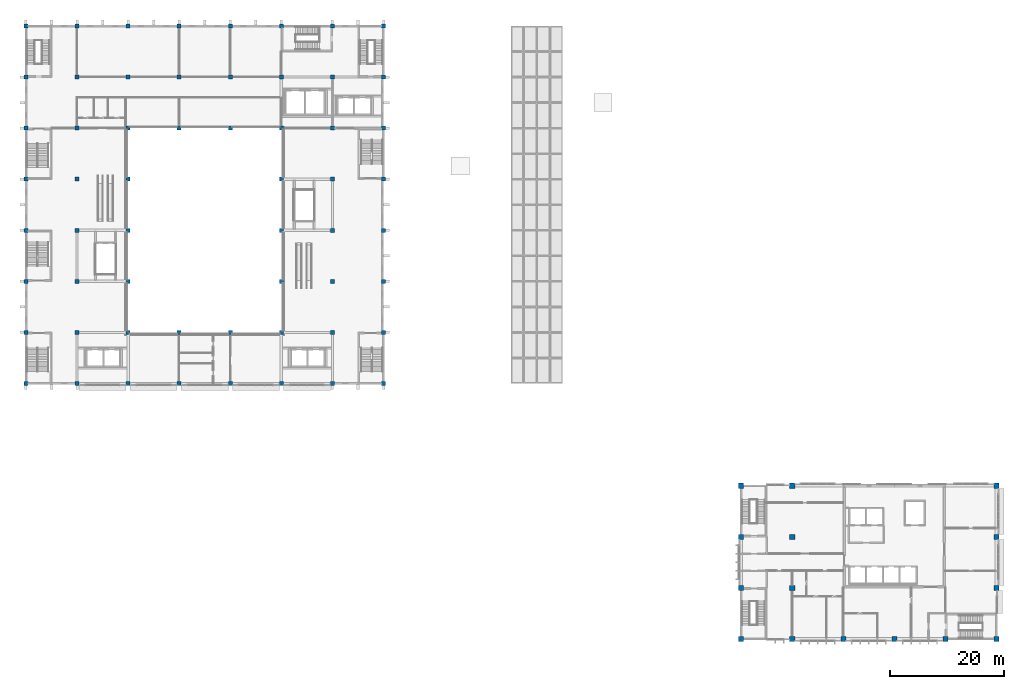
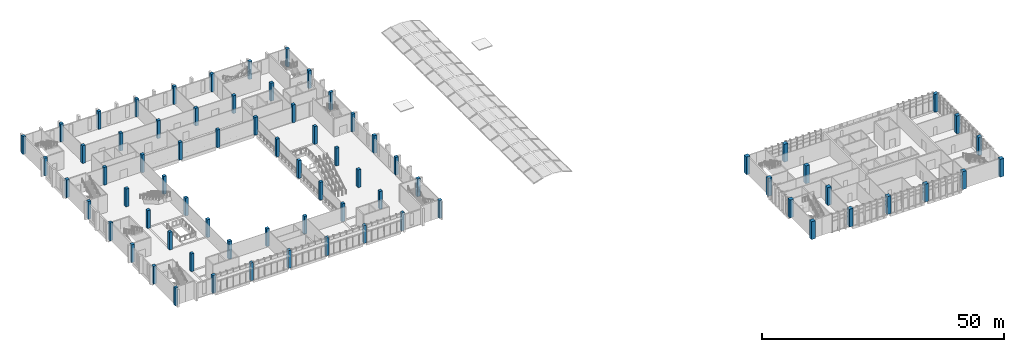
# One storey, part 1 of 45: 73 columns.
"""IFC4 building model written with IfcOpenShell, lengths in metres."""

import ifcopenshell
import ifcopenshell.guid

model = None  # the IFC model being written
_history = None  # IfcOwnerHistory: only IFC2X3 demands one
_inside = {}  # id of a spatial element -> (the spatial element, [elements in it])
_under = {}  # id of a project, library or spatial element -> (it, [spatial elements below it])
_declared = {}  # id of a project -> (the project, [libraries it declares])
_typed = {}  # id of a type object -> (the type object, [elements of that type])
_made_of = {}  # id of a material, layer set ... -> (it, [elements and type objects made of it])


def new_model(schema):
    """Start an empty IFC model of exactly this schema.

    Asked for "IFC4X3", IfcOpenShell would pick the latest addendum, in which some entities
    have other attributes; the version numbers below select the first issue.
    IFC2X3 requires an IfcOwnerHistory on every rooted entity: one is made here for all.
    """
    global model, _history
    if schema == "IFC4X3":
        model = ifcopenshell.file(schema_version=(4, 3, 0, 0))
    else:
        model = ifcopenshell.file(schema=schema)
    _inside.clear()
    _under.clear()
    _declared.clear()
    _typed.clear()
    _made_of.clear()
    _history = None
    if model.schema == "IFC2X3":
        org = make("IfcOrganization", Name="unknown")
        user = make(
            "IfcPersonAndOrganization",
            ThePerson=make("IfcPerson", FamilyName="unknown"),
            TheOrganization=org,
        )
        app = make(
            "IfcApplication",
            ApplicationDeveloper=org,
            Version="unknown",
            ApplicationFullName="unknown",
            ApplicationIdentifier="unknown",
        )
        _history = make(
            "IfcOwnerHistory",
            OwningUser=user,
            OwningApplication=app,
            ChangeAction="ADDED",
            CreationDate=0,
        )
    return model


def make(cls, **values):
    """One entity of the class cls with the attributes given. An attribute that is None is left unset."""
    return model.create_entity(
        cls, **{name: value for name, value in values.items() if value is not None}
    )


def rooted(cls, **values):
    """An entity with a GlobalId (a new one), such as an element, a storey or a relation."""
    return make(cls, GlobalId=ifcopenshell.guid.new(), OwnerHistory=_history, **values)


def si_unit(unit_type, name, prefix=None):
    """IfcSIUnit, for example si_unit("LENGTHUNIT", "METRE", prefix="MILLI")."""
    return make("IfcSIUnit", UnitType=unit_type, Prefix=prefix, Name=name)


def assignment(units):
    """IfcUnitAssignment: the units of a project."""
    return None if units is None else make("IfcUnitAssignment", Units=units)


def point(xyz):
    """IfcCartesianPoint."""
    return None if xyz is None else make("IfcCartesianPoint", Coordinates=xyz)


def direction(xyz):
    """IfcDirection."""
    return None if xyz is None else make("IfcDirection", DirectionRatios=xyz)


def frame(location, z_axis=None, x_axis=None):
    """IfcAxis2Placement3D, a coordinate frame: its origin and axes. An axis left out is left unset."""
    return make(
        "IfcAxis2Placement3D",
        Location=point(location),
        Axis=direction(z_axis),
        RefDirection=direction(x_axis),
    )


def frame_2d(location, x_axis=None):
    """IfcAxis2Placement2D, a coordinate frame in the plane: its origin and x axis."""
    return make(
        "IfcAxis2Placement2D", Location=point(location), RefDirection=direction(x_axis)
    )


def origin():
    """The frame at (0, 0, 0) with its axes left unset."""
    return frame((0.0, 0.0, 0.0))


def origin_2d():
    """The frame at (0, 0) in the plane with its x axis left unset."""
    return frame_2d((0.0, 0.0))


def place(relative_to, where):
    """IfcLocalPlacement: puts the frame where relative to a parent placement (None: the world)."""
    return make(
        "IfcLocalPlacement", PlacementRelTo=relative_to, RelativePlacement=where
    )


def context(
    kind, dimensions, precision=None, world=None, true_north=None, identifier=None
):
    """IfcGeometricRepresentationContext, for example the 3D "Model" context."""
    return make(
        "IfcGeometricRepresentationContext",
        ContextIdentifier=identifier,
        ContextType=kind,
        CoordinateSpaceDimension=dimensions,
        Precision=precision,
        WorldCoordinateSystem=world,
        TrueNorth=true_north,
    )


def subcontext(parent, identifier, kind, view, scale=None):
    """IfcGeometricRepresentationSubContext, for example "Body" below "Model"."""
    return make(
        "IfcGeometricRepresentationSubContext",
        ContextIdentifier=identifier,
        ContextType=kind,
        ParentContext=parent,
        TargetScale=scale,
        TargetView=view,
    )


def project(units=None, contexts=None):
    """IfcProject with its units and contexts."""
    return rooted(
        "IfcProject",
        Name="project",
        RepresentationContexts=contexts,
        UnitsInContext=assignment(units),
    )


def spatial(cls, under=None, at=None, **own):
    """A site, building, storey or space (cls), placed at a placement, below another one or the project."""
    s = rooted(cls, ObjectPlacement=at, **own)
    if under is not None:
        _under.setdefault(under.id(), (under, []))[1].append(s)
    return s


def profile(cls, at=None, kind="AREA", **sizes):
    """A parametric profile (cls). Its sizes go by their IFC names, for example OverallWidth=200.0."""
    return make(cls, ProfileType=kind, Position=at, **sizes)


def rectangle(**sizes):
    """IfcRectangleProfileDef."""
    return profile("IfcRectangleProfileDef", **sizes)


def extrude(swept, where, along, depth):
    """IfcExtrudedAreaSolid: the profile swept, set in the frame where, extruded along a direction by depth."""
    return make(
        "IfcExtrudedAreaSolid",
        SweptArea=swept,
        Position=where,
        ExtrudedDirection=direction(along),
        Depth=depth,
    )


def shape(context_of_items, identifier, shape_type, items):
    """IfcShapeRepresentation: the items that make up one representation, for example the "Body"."""
    return make(
        "IfcShapeRepresentation",
        ContextOfItems=context_of_items,
        RepresentationIdentifier=identifier,
        RepresentationType=shape_type,
        Items=items,
    )


def material(Name=None, Category=None):
    """IfcMaterial."""
    return make("IfcMaterial", Name=Name, Category=Category)


def material_profile(
    of_material, cross_section, Name=None, Category=None, Priority=None
):
    """IfcMaterialProfile: a cross section and its material."""
    return make(
        "IfcMaterialProfile",
        Name=Name,
        Material=of_material,
        Profile=cross_section,
        Priority=Priority,
        Category=Category,
    )


def profile_set(profiles, Name=None, composite=None):
    """IfcMaterialProfileSet."""
    return make(
        "IfcMaterialProfileSet",
        Name=Name,
        MaterialProfiles=profiles,
        CompositeProfile=composite,
    )


def made_of(thing, what):
    """Note that an element or type object is made of a material, layer set ...; save() writes the relation."""
    if what is not None:
        _made_of.setdefault(what.id(), (what, []))[1].append(thing)
    return thing


def type_object(cls, material=None, **own):
    """A type object (cls), such as IfcWallType, which elements share."""
    return made_of(rooted(cls, **own), material)


def element(
    cls,
    number,
    at=None,
    inside=None,
    cuts=None,
    type_object=None,
    material=None,
    context=None,
    identifier="Body",
    shape_type=None,
    held_by="IfcProductDefinitionShape",
    body=None,
    shapes=None,
    **own,
):
    """One element of the class cls, such as IfcWall. Its Tag is "e" and its number.

    at: its placement. inside: the storey or other place that contains it. cuts: it is an
    opening in that element (IfcRelVoidsElement). A single representation is given by context,
    identifier, shape_type and body (its items); several are given by shapes. held_by: the class
    of the entity that holds the representations. save() writes the other relations.
    """
    e = rooted(cls, Tag="e%d" % number, ObjectPlacement=at, **own)
    if body is not None:
        shapes = [shape(context, identifier, shape_type, body)]
    if shapes is not None:
        e.Representation = make(held_by, Representations=shapes)
    if inside is not None:
        _inside.setdefault(inside.id(), (inside, []))[1].append(e)
    if cuts is not None:
        rooted(
            "IfcRelVoidsElement", RelatingBuildingElement=cuts, RelatedOpeningElement=e
        )
    if type_object is not None:
        _typed.setdefault(type_object.id(), (type_object, []))[1].append(e)
    return made_of(e, material)


def aggregate(whole, parts):
    """IfcRelAggregates: a whole, such as a stair, and the parts it consists of."""
    return rooted("IfcRelAggregates", RelatingObject=whole, RelatedObjects=parts)


def save(model, path):
    """Write the relations noted so far, then the file.

    IfcRelAggregates (storeys below a building ...), IfcRelContainedInSpatialStructure (elements
    in a storey), IfcRelDefinesByType, IfcRelAssociatesMaterial and IfcRelDeclares: one each for
    every whole, place, type object, material and project.
    """
    for whole, parts in _under.values():
        aggregate(whole, parts)
    for where, things in _inside.values():
        rooted(
            "IfcRelContainedInSpatialStructure",
            RelatedElements=things,
            RelatingStructure=where,
        )
    for kind, things in _typed.values():
        rooted("IfcRelDefinesByType", RelatedObjects=things, RelatingType=kind)
    for what, things in _made_of.values():
        rooted("IfcRelAssociatesMaterial", RelatedObjects=things, RelatingMaterial=what)
    for by, libraries in _declared.values():
        rooted("IfcRelDeclares", RelatingContext=by, RelatedDefinitions=libraries)
    model.write(path)


model = new_model("IFC4")

# Units and contexts
model_context = context("Model", 3, precision=1e-05, world=origin(), true_north=direction((0.0, 1.0)))
body_context = subcontext(model_context, "Body", "Model", "MODEL_VIEW")
ifc_project = project(units=[si_unit("LENGTHUNIT", "METRE"), si_unit("AREAUNIT", "SQUARE_METRE"), si_unit("VOLUMEUNIT", "CUBIC_METRE"), si_unit("PLANEANGLEUNIT", "RADIAN"), si_unit("MASSUNIT", "GRAM", prefix="KILO")], contexts=[model_context])

# Site, building, storey
site_placement = place(None, origin())
site = spatial("IfcSite", under=ifc_project, at=site_placement, CompositionType="ELEMENT")
building_placement = place(site_placement, origin())
building = spatial("IfcBuilding", under=site, at=building_placement, Name="Guidao Yard Department Store", CompositionType="ELEMENT")
storey_placement = place(building_placement, frame((0.0, 0.0, 19.5)))
storey = spatial("IfcBuildingStorey", under=building, at=storey_placement, Name="L04", CompositionType="ELEMENT", Elevation=19.5)

# Columns
ifc_material_1 = material(Name="Concrete C40", Category="concrete")
ifc_material_profile_1 = material_profile(ifc_material_1, rectangle(XDim=0.699951171875, YDim=0.699951171875, at=origin_2d()), Name="COL 700x700")
ifc_profile_set_1 = profile_set([ifc_material_profile_1], Name="Concrete C40")
column_type_1 = type_object("IfcColumnType", Name="Column 700x700 C40", PredefinedType="COLUMN", material=ifc_profile_set_1)
for number, where, z_axis, x_axis, name in (
    (1, (0.0, 45.0, 0.0), (0.0, 0.0, 1.0), (1.0, 0.0, 0.0), "Column 1/F L04"),
    (2, (9.0, 45.0, 0.0), (0.0, 0.0, 1.0), (1.0, 0.0, 0.0), "Column 2/F L04"),
    (3, (18.0, 45.0, 0.0), (0.0, 0.0, 1.0), (1.0, 0.0, 0.0), "Column 3/F L04"),
    (4, (27.0, 45.0, 0.0), (0.0, 0.0, 1.0), (1.0, 0.0, 0.0), "Column 4/F L04"),
    (5, (36.0, 45.0, 0.0), (0.0, 0.0, 1.0), (1.0, 0.0, 0.0), "Column 5/F L04"),
    (6, (45.0, 45.0, 0.0), (0.0, 0.0, 1.0), (1.0, 0.0, 0.0), "Column 6/F L04"),
    (7, (54.0, 45.0, 0.0), (0.0, 0.0, 1.0), (1.0, 0.0, 0.0), "Column 7/F L04"),
    (8, (63.0, 45.0, 0.0), (0.0, 0.0, 1.0), (1.0, 0.0, 0.0), "Column 8/F L04"),
    (9, (0.0, 54.0, 0.0), (0.0, 0.0, 1.0), (1.0, 0.0, 0.0), "Column 1/G L04"),
    (10, (9.0, 54.0, 0.0), (0.0, 0.0, 1.0), (1.0, 0.0, 0.0), "Column 2/G L04"),
    (11, (18.0, 54.0, 0.0), (0.0, 0.0, 1.0), (1.0, 0.0, 0.0), "Column 3/G L04"),
    (12, (27.0, 54.0, 0.0), (0.0, 0.0, 1.0), (1.0, 0.0, 0.0), "Column 4/G L04"),
    (13, (36.0, 54.0, 0.0), (0.0, 0.0, 1.0), (1.0, 0.0, 0.0), "Column 5/G L04"),
    (14, (45.0, 54.0, 0.0), (0.0, 0.0, 1.0), (1.0, 0.0, 0.0), "Column 6/G L04"),
    (15, (54.0, 54.0, 0.0), (0.0, 0.0, 1.0), (1.0, 0.0, 0.0), "Column 7/G L04"),
    (16, (63.0, 54.0, 0.0), (0.0, 0.0, 1.0), (1.0, 0.0, 0.0), "Column 8/G L04"),
    (17, (0.0, 63.0, 0.0), (0.0, 0.0, 1.0), (1.0, 0.0, 0.0), "Column 1/H L04"),
    (18, (9.0, 63.0, 0.0), (0.0, 0.0, 1.0), (1.0, 0.0, 0.0), "Column 2/H L04"),
    (19, (18.0, 63.0, 0.0), (0.0, 0.0, 1.0), (1.0, 0.0, 0.0), "Column 3/H L04"),
    (20, (45.0, 63.0, 0.0), (0.0, 0.0, 1.0), (1.0, 0.0, 0.0), "Column 6/H L04"),
    (21, (54.0, 63.0, 0.0), (0.0, 0.0, 1.0), (1.0, 0.0, 0.0), "Column 7/H L04"),
    (22, (63.0, 63.0, 0.0), (0.0, 0.0, 1.0), (1.0, 0.0, 0.0), "Column 8/H L04"),
    (23, (0.0, 72.0, 0.0), (0.0, 0.0, 1.0), (1.0, 0.0, 0.0), "Column 1/J L04"),
    (24, (9.0, 72.0, 0.0), (0.0, 0.0, 1.0), (1.0, 0.0, 0.0), "Column 2/J L04"),
    (25, (18.0, 72.0, 0.0), (0.0, 0.0, 1.0), (1.0, 0.0, 0.0), "Column 3/J L04"),
    (26, (45.0, 72.0, 0.0), (0.0, 0.0, 1.0), (1.0, 0.0, 0.0), "Column 6/J L04"),
    (27, (54.0, 72.0, 0.0), (0.0, 0.0, 1.0), (1.0, 0.0, 0.0), "Column 7/J L04"),
    (28, (63.0, 72.0, 0.0), (0.0, 0.0, 1.0), (1.0, 0.0, 0.0), "Column 8/J L04"),
    (29, (0.0, 81.0, 0.0), (0.0, 0.0, 1.0), (1.0, 0.0, 0.0), "Column 1/K L04"),
    (30, (9.0, 81.0, 0.0), (0.0, 0.0, 1.0), (1.0, 0.0, 0.0), "Column 2/K L04"),
    (31, (18.0, 81.0, 0.0), (0.0, 0.0, 1.0), (1.0, 0.0, 0.0), "Column 3/K L04"),
    (32, (45.0, 81.0, 0.0), (0.0, 0.0, 1.0), (1.0, 0.0, 0.0), "Column 6/K L04"),
    (33, (54.0, 81.0, 0.0), (0.0, 0.0, 1.0), (1.0, 0.0, 0.0), "Column 7/K L04"),
    (34, (63.0, 81.0, 0.0), (0.0, 0.0, 1.0), (1.0, 0.0, 0.0), "Column 8/K L04"),
    (35, (0.0, 90.0, 0.0), (0.0, 0.0, 1.0), (1.0, 0.0, 0.0), "Column 1/L L04"),
    (36, (9.0, 90.0, 0.0), (0.0, 0.0, 1.0), (1.0, 0.0, 0.0), "Column 2/L L04"),
    (37, (18.0, 90.0, 0.0), (0.0, 0.0, 1.0), (1.0, 0.0, 0.0), "Column 3/L L04"),
    (38, (27.0, 90.0, 0.0), (0.0, 0.0, 1.0), (1.0, 0.0, 0.0), "Column 4/L L04"),
    (39, (36.0, 90.0, 0.0), (0.0, 0.0, 1.0), (1.0, 0.0, 0.0), "Column 5/L L04"),
    (40, (45.0, 90.0, 0.0), (0.0, 0.0, 1.0), (1.0, 0.0, 0.0), "Column 6/L L04"),
    (41, (54.0, 90.0, 0.0), (0.0, 0.0, 1.0), (1.0, 0.0, 0.0), "Column 7/L L04"),
    (42, (63.0, 90.0, 0.0), (0.0, 0.0, 1.0), (1.0, 0.0, 0.0), "Column 8/L L04"),
    (43, (0.0, 99.0, 0.0), (0.0, 0.0, 1.0), (1.0, 0.0, 0.0), "Column 1/M L04"),
    (44, (9.0, 99.0, 0.0), (0.0, 0.0, 1.0), (1.0, 0.0, 0.0), "Column 2/M L04"),
    (45, (18.0, 99.0, 0.0), (0.0, 0.0, 1.0), (1.0, 0.0, 0.0), "Column 3/M L04"),
    (46, (27.0, 99.0, 0.0), (0.0, 0.0, 1.0), (1.0, 0.0, 0.0), "Column 4/M L04"),
    (47, (36.0, 99.0, 0.0), (0.0, 0.0, 1.0), (1.0, 0.0, 0.0), "Column 5/M L04"),
    (48, (45.0, 99.0, 0.0), (0.0, 0.0, 1.0), (1.0, 0.0, 0.0), "Column 6/M L04"),
    (49, (54.0, 99.0, 0.0), (0.0, 0.0, 1.0), (1.0, 0.0, 0.0), "Column 7/M L04"),
    (50, (63.0, 99.0, 0.0), (0.0, 0.0, 1.0), (1.0, 0.0, 0.0), "Column 8/M L04"),
    (51, (0.0, 108.0, 0.0), (0.0, 0.0, 1.0), (1.0, 0.0, 0.0), "Column 1/N L04"),
    (52, (9.0, 108.0, 0.0), (0.0, 0.0, 1.0), (1.0, 0.0, 0.0), "Column 2/N L04"),
    (53, (18.0, 108.0, 0.0), (0.0, 0.0, 1.0), (1.0, 0.0, 0.0), "Column 3/N L04"),
    (54, (27.0, 108.0, 0.0), (0.0, 0.0, 1.0), (1.0, 0.0, 0.0), "Column 4/N L04"),
    (55, (36.0, 108.0, 0.0), (0.0, 0.0, 1.0), (1.0, 0.0, 0.0), "Column 5/N L04"),
    (56, (45.0, 108.0, 0.0), (0.0, 0.0, 1.0), (1.0, 0.0, 0.0), "Column 6/N L04"),
    (57, (54.0, 108.0, 0.0), (0.0, 0.0, 1.0), (1.0, 0.0, 0.0), "Column 7/N L04"),
    (58, (63.0, 108.0, 0.0), (0.0, 0.0, 1.0), (1.0, 0.0, 0.0), "Column 8/N L04"),
):
    element("IfcColumn", number, at=place(storey_placement, frame(where, z_axis=z_axis, x_axis=x_axis)), inside=storey, type_object=column_type_1, Name=name, PredefinedType="COLUMN", context=body_context, shape_type="SweptSolid", body=[
        extrude(rectangle(XDim=0.699951171875, YDim=0.699951171875, at=origin_2d()), origin(), (0.0, 0.0, 1.0), 4.5),
    ])
ifc_material_2 = material(Name="Concrete C50", Category="concrete")
ifc_material_profile_2 = material_profile(ifc_material_2, rectangle(XDim=0.89990234375, YDim=0.89990234375, at=origin_2d()), Name="COL 900x900")
ifc_profile_set_2 = profile_set([ifc_material_profile_2], Name="Concrete C50")
column_type_2 = type_object("IfcColumnType", Name="Column 900x900 C50", PredefinedType="COLUMN", material=ifc_profile_set_2)
for number, where, z_axis, x_axis, name in (
    (59, (126.0, 0.0, 0.0), (0.0, 0.0, 1.0), (1.0, 0.0, 0.0), "Column 15/A L04"),
    (60, (135.0, 0.0, 0.0), (0.0, 0.0, 1.0), (1.0, 0.0, 0.0), "Column 16/A L04"),
    (61, (144.0, 0.0, 0.0), (0.0, 0.0, 1.0), (1.0, 0.0, 0.0), "Column 17/A L04"),
    (62, (153.0, 0.0, 0.0), (0.0, 0.0, 1.0), (1.0, 0.0, 0.0), "Column 18/A L04"),
    (63, (162.0, 0.0, 0.0), (0.0, 0.0, 1.0), (1.0, 0.0, 0.0), "Column 19/A L04"),
    (64, (171.0, 0.0, 0.0), (0.0, 0.0, 1.0), (1.0, 0.0, 0.0), "Column 20/A L04"),
    (65, (126.0, 9.0, 0.0), (0.0, 0.0, 1.0), (1.0, 0.0, 0.0), "Column 15/B L04"),
    (66, (135.0, 9.0, 0.0), (0.0, 0.0, 1.0), (1.0, 0.0, 0.0), "Column 16/B L04"),
    (67, (171.0, 9.0, 0.0), (0.0, 0.0, 1.0), (1.0, 0.0, 0.0), "Column 20/B L04"),
    (68, (126.0, 18.0, 0.0), (0.0, 0.0, 1.0), (1.0, 0.0, 0.0), "Column 15/C L04"),
    (69, (135.0, 18.0, 0.0), (0.0, 0.0, 1.0), (1.0, 0.0, 0.0), "Column 16/C L04"),
    (70, (171.0, 18.0, 0.0), (0.0, 0.0, 1.0), (1.0, 0.0, 0.0), "Column 20/C L04"),
    (71, (126.0, 27.0, 0.0), (0.0, 0.0, 1.0), (1.0, 0.0, 0.0), "Column 15/D L04"),
    (72, (135.0, 27.0, 0.0), (0.0, 0.0, 1.0), (1.0, 0.0, 0.0), "Column 16/D L04"),
    (73, (171.0, 27.0, 0.0), (0.0, 0.0, 1.0), (1.0, 0.0, 0.0), "Column 20/D L04"),
):
    element("IfcColumn", number, at=place(storey_placement, frame(where, z_axis=z_axis, x_axis=x_axis)), inside=storey, type_object=column_type_2, Name=name, PredefinedType="COLUMN", context=body_context, shape_type="SweptSolid", body=[
        extrude(rectangle(XDim=0.89990234375, YDim=0.89990234375, at=origin_2d()), origin(), (0.0, 0.0, 1.0), 4.5),
    ])

save(model, "model.ifc")
